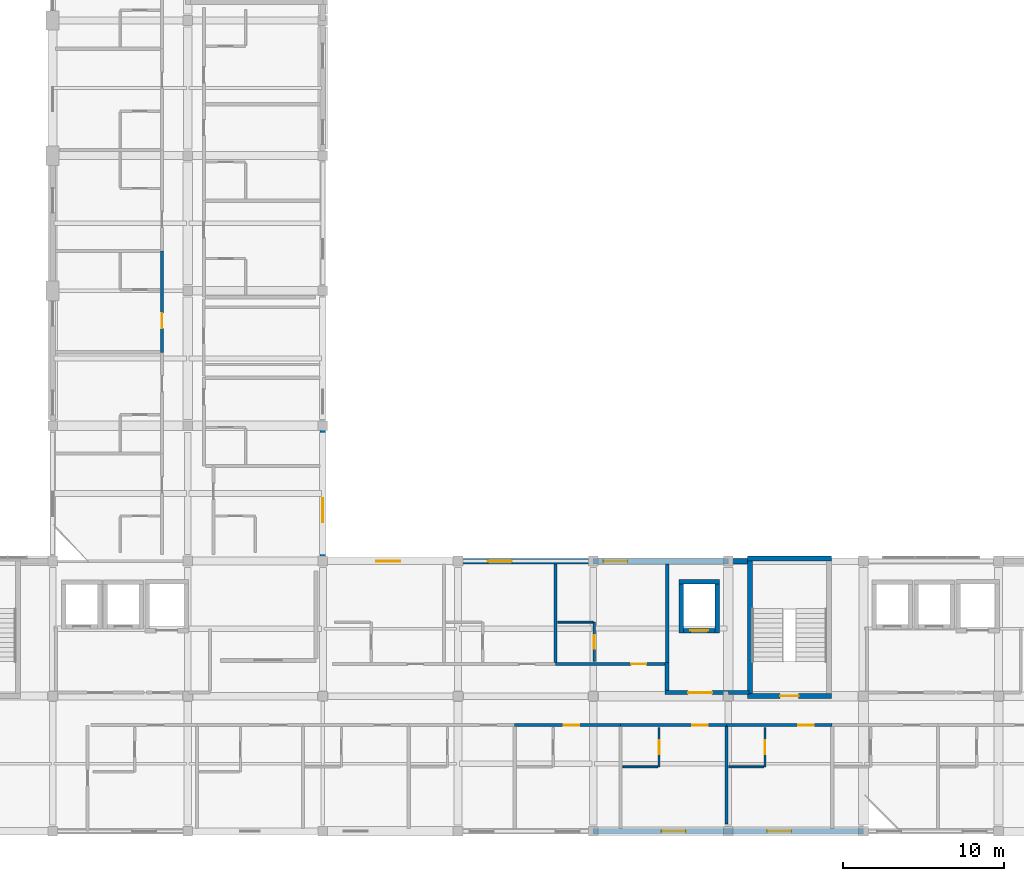
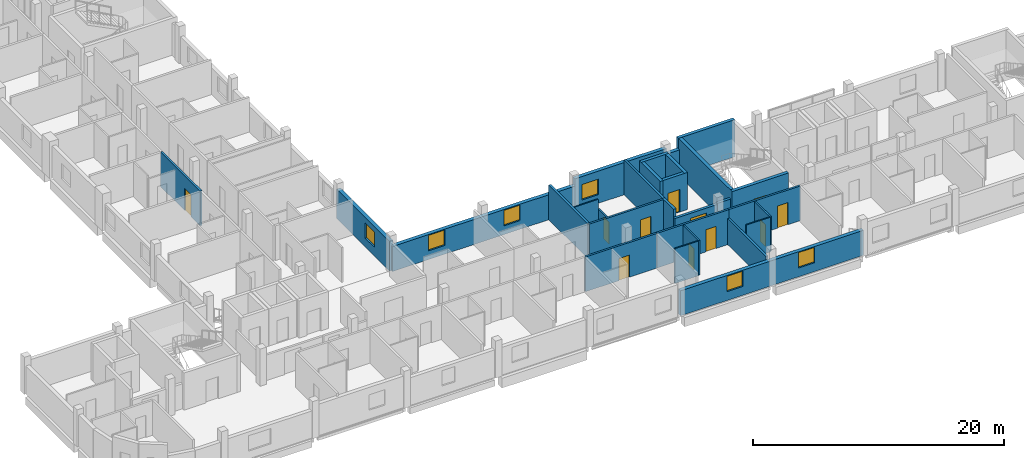
# One storey, part 14 of 25: 29 walls, 11 doors, 6 windows, 17 openings.
"""IFC4 building model written with IfcOpenShell, lengths in metres."""

from ifc_helpers import new_model, si_unit, derived_unit, direction, frame, frame_2d, origin, place, context, subcontext, project, spatial, rectangle, extrude, material, layer, layer_set, type_object, element, fill, save


model = new_model("IFC4")

# Units and contexts
model_context = context("Model", 3, precision=1e-05, world=origin(), true_north=direction((0.0, 1.0)))
body_context = subcontext(model_context, "Body", "Model", "MODEL_VIEW")
ifc_project = project(units=[si_unit("LENGTHUNIT", "METRE"), si_unit("AREAUNIT", "SQUARE_METRE"), si_unit("VOLUMEUNIT", "CUBIC_METRE"), si_unit("PLANEANGLEUNIT", "RADIAN"), si_unit("MASSUNIT", "GRAM", prefix="KILO"), derived_unit("THERMALTRANSMITTANCEUNIT", [(si_unit("POWERUNIT", "WATT"), 1), (si_unit("LENGTHUNIT", "METRE"), -2), (si_unit("THERMODYNAMICTEMPERATUREUNIT", "KELVIN"), -1)])], contexts=[model_context])

# Site, building, storey
site_placement = place(None, origin())
site = spatial("IfcSite", under=ifc_project, at=site_placement, CompositionType="ELEMENT")
building_placement = place(site_placement, origin())
building = spatial("IfcBuilding", under=site, at=building_placement, Name="Barrovel Congress Hotel", CompositionType="ELEMENT")
storey_placement = place(building_placement, frame((0.0, 0.0, 25.5)))
storey = spatial("IfcBuildingStorey", under=building, at=storey_placement, Name="L06", CompositionType="ELEMENT", Elevation=25.5)

# Wall, openings, windows
ifc_material_1 = material(Name="Fired Clay Brick Masonry", Category="masonry")
ifc_layer_1 = layer(ifc_material_1, 0.340087890625)
ifc_layer_set_1 = layer_set([ifc_layer_1], Name="Fired Clay Brick Masonry")
wall_type_1 = type_object("IfcWallType", Name="EW-BRK340", PredefinedType="STANDARD", material=ifc_layer_set_1)
wall_1_placement = place(storey_placement, frame((67.199951171875, 4.199951171875, 0.0), z_axis=(0.0, 0.0, 1.0), x_axis=(1.0, 0.0, 0.0)))
wall_1 = element("IfcWall", 1, at=wall_1_placement, inside=storey, type_object=wall_type_1, Name="EW:L06:HS-S", PredefinedType="STANDARD", context=body_context, shape_type="SweptSolid", body=[
    extrude(rectangle(XDim=16.800048828125, YDim=0.340087890625, at=frame_2d((8.39990234375, 0.0))), origin(), (0.0, 0.0, 1.0), 2.429931640625),
])
opening_1_placement = place(wall_1_placement, frame((4.239990234375, 0.0, 0.85009765625)))
opening_1 = element("IfcOpeningElement", 2, at=opening_1_placement, cuts=wall_1, Name="Opening WN-07", PredefinedType="OPENING", context=body_context, shape_type="SweptSolid", body=[
    extrude(rectangle(XDim=1.5, YDim=1.5, at=frame_2d((0.75, 0.75))), frame((0.0, 0.18017578125, 0.0), z_axis=(0.0, -1.0, 0.0), x_axis=(1.0, 0.0, 0.0)), (0.0, 0.0, 1.0), 0.360107421875),
])
opening_2_placement = place(wall_1_placement, frame((10.820068359375, 0.0, 0.85009765625)))
opening_2 = element("IfcOpeningElement", 3, at=opening_2_placement, cuts=wall_1, Name="Opening WN-07", PredefinedType="OPENING", context=body_context, shape_type="SweptSolid", body=[
    extrude(rectangle(XDim=1.5, YDim=1.5, at=frame_2d((0.75, 0.75))), frame((0.0, 0.18017578125, 0.0), z_axis=(0.0, -1.0, 0.0), x_axis=(1.0, 0.0, 0.0)), (0.0, 0.0, 1.0), 0.360107421875),
])
ifc_material_2 = material(Name="Double Low-E Insulated Glazing", Category="glass")
window_type = type_object("IfcWindowType", Name="WIN-WN-07", PartitioningType="SINGLE_PANEL", PredefinedType="WINDOW", material=ifc_material_2)
window_1_placement = place(opening_1_placement, origin())
window_1 = element("IfcWindow", 4, at=window_1_placement, inside=storey, type_object=window_type, Name="WIN:L06:U07", OverallHeight=1.5, OverallWidth=1.5, PartitioningType="SINGLE_PANEL", PredefinedType="WINDOW", context=body_context, shape_type="SweptSolid", body=[
    extrude(rectangle(XDim=1.5, YDim=1.5, at=frame_2d((0.75, 0.75))), frame((0.0, 0.030029296875, 0.0), z_axis=(0.0, -1.0, 0.0), x_axis=(1.0, 0.0, 0.0)), (0.0, 0.0, 1.0), 0.06005859375),
])
fill(opening_1, window_1)
window_2_placement = place(opening_2_placement, origin())
window_2 = element("IfcWindow", 5, at=window_2_placement, inside=storey, type_object=window_type, Name="WIN:L06:U08", OverallHeight=1.5, OverallWidth=1.5, PartitioningType="SINGLE_PANEL", PredefinedType="WINDOW", context=body_context, shape_type="SweptSolid", body=[
    extrude(rectangle(XDim=1.5, YDim=1.5, at=frame_2d((0.75, 0.75))), frame((0.0, 0.030029296875, 0.0), z_axis=(0.0, -1.0, 0.0), x_axis=(1.0, 0.0, 0.0)), (0.0, 0.0, 1.0), 0.06005859375),
])
fill(opening_2, window_2)

wall_2_placement = place(storey_placement, frame((67.199951171875, 21.0, 0.0), z_axis=(0.0, 0.0, 1.0), x_axis=(-1.0, 0.0, 0.0)))
wall_2 = element("IfcWall", 6, at=wall_2_placement, inside=storey, type_object=wall_type_1, Name="EW:L06:HS-NE-4", PredefinedType="STANDARD", context=body_context, shape_type="SweptSolid", body=[
    extrude(rectangle(XDim=16.800048828125, YDim=0.340087890625, at=frame_2d((8.39990234375, 0.0))), origin(), (0.0, 0.0, 1.0), 2.429931640625),
])
opening_3_placement = place(wall_2_placement, frame((11.9833984375, 0.0, 0.85009765625)))
opening_3 = element("IfcOpeningElement", 7, at=opening_3_placement, cuts=wall_2, Name="Opening WN-07", PredefinedType="OPENING", context=body_context, shape_type="SweptSolid", body=[
    extrude(rectangle(XDim=1.5, YDim=1.5, at=frame_2d((0.75, 0.75))), frame((0.0, 0.18017578125, 0.0), z_axis=(0.0, -1.0, 0.0), x_axis=(1.0, 0.0, 0.0)), (0.0, 0.0, 1.0), 0.360107421875),
])
opening_4_placement = place(wall_2_placement, frame((5.050048828125, 0.0, 0.85009765625)))
opening_4 = element("IfcOpeningElement", 8, at=opening_4_placement, cuts=wall_2, Name="Opening WN-07", PredefinedType="OPENING", context=body_context, shape_type="SweptSolid", body=[
    extrude(rectangle(XDim=1.5, YDim=1.5, at=frame_2d((0.75, 0.75))), frame((0.0, 0.18017578125, 0.0), z_axis=(0.0, -1.0, 0.0), x_axis=(1.0, 0.0, 0.0)), (0.0, 0.0, 1.0), 0.360107421875),
])
window_3_placement = place(opening_3_placement, origin())
window_3 = element("IfcWindow", 9, at=window_3_placement, inside=storey, type_object=window_type, Name="WIN:L06:U18", OverallHeight=1.5, OverallWidth=1.5, PartitioningType="SINGLE_PANEL", PredefinedType="WINDOW", context=body_context, shape_type="SweptSolid", body=[
    extrude(rectangle(XDim=1.5, YDim=1.5, at=frame_2d((0.75, 0.75))), frame((0.0, 0.030029296875, 0.0), z_axis=(0.0, -1.0, 0.0), x_axis=(1.0, 0.0, 0.0)), (0.0, 0.0, 1.0), 0.06005859375),
])
fill(opening_3, window_3)
window_4_placement = place(opening_4_placement, origin())
window_4 = element("IfcWindow", 10, at=window_4_placement, inside=storey, type_object=window_type, Name="WIN:L06:U19", OverallHeight=1.5, OverallWidth=1.5, PartitioningType="SINGLE_PANEL", PredefinedType="WINDOW", context=body_context, shape_type="SweptSolid", body=[
    extrude(rectangle(XDim=1.5, YDim=1.5, at=frame_2d((0.75, 0.75))), frame((0.0, 0.030029296875, 0.0), z_axis=(0.0, -1.0, 0.0), x_axis=(1.0, 0.0, 0.0)), (0.0, 0.0, 1.0), 0.06005859375),
])
fill(opening_4, window_4)

# Wall
wall_3_placement = place(storey_placement, frame((76.800048828125, 21.0, 0.0), z_axis=(0.0, 0.0, 1.0), x_axis=(-1.0, 0.0, 0.0)))
element("IfcWall", 11, at=wall_3_placement, inside=storey, type_object=wall_type_1, Name="EW:L06:HS-NE-4:P01", PredefinedType="STANDARD", context=body_context, shape_type="SweptSolid", body=[
    extrude(rectangle(XDim=1.199951171875, YDim=0.340087890625, at=frame_2d((0.60009765625, 0.0))), origin(), (0.0, 0.0, 1.0), 2.580078125),
])

# Wall, opening, window
wall_4_placement = place(storey_placement, frame((75.60009765625, 21.0, 0.0), z_axis=(0.0, 0.0, 1.0), x_axis=(-1.0, 0.0, 0.0)))
wall_4 = element("IfcWall", 12, at=wall_4_placement, inside=storey, type_object=wall_type_1, Name="EW:L06:HS-NE-4:P02", PredefinedType="STANDARD", context=body_context, shape_type="SweptSolid", body=[
    extrude(rectangle(XDim=8.400146484375, YDim=0.340087890625, at=frame_2d((4.2001953125, 0.0))), origin(), (0.0, 0.0, 1.0), 3.133056640625),
])
opening_5_placement = place(wall_4_placement, frame((6.2666015625, 0.0, 0.85009765625)))
opening_5 = element("IfcOpeningElement", 13, at=opening_5_placement, cuts=wall_4, Name="Opening WN-07", PredefinedType="OPENING", context=body_context, shape_type="SweptSolid", body=[
    extrude(rectangle(XDim=1.5, YDim=1.5, at=frame_2d((0.75, 0.75))), frame((0.0, 0.18017578125, 0.0), z_axis=(0.0, -1.0, 0.0), x_axis=(1.0, 0.0, 0.0)), (0.0, 0.0, 1.0), 0.360107421875),
])
window_5_placement = place(opening_5_placement, origin())
window_5 = element("IfcWindow", 14, at=window_5_placement, inside=storey, type_object=window_type, Name="WIN:L06:U20", OverallHeight=1.5, OverallWidth=1.5, PartitioningType="SINGLE_PANEL", PredefinedType="WINDOW", context=body_context, shape_type="SweptSolid", body=[
    extrude(rectangle(XDim=1.5, YDim=1.5, at=frame_2d((0.75, 0.75))), frame((0.0, 0.030029296875, 0.0), z_axis=(0.0, -1.0, 0.0), x_axis=(1.0, 0.0, 0.0)), (0.0, 0.0, 1.0), 0.06005859375),
])
fill(opening_5, window_5)

wall_5_placement = place(storey_placement, frame((50.39990234375, 21.0, 0.0), z_axis=(0.0, 0.0, 1.0), x_axis=(0.0, 1.0, 0.0)))
wall_5 = element("IfcWall", 15, at=wall_5_placement, inside=storey, type_object=wall_type_1, Name="EW:L06:HW-E-1:P01", PredefinedType="STANDARD", context=body_context, shape_type="SweptSolid", body=[
    extrude(rectangle(XDim=8.39990234375, YDim=0.340087890625, at=frame_2d((4.199951171875, 0.0))), origin(), (0.0, 0.0, 1.0), 2.8798828125),
])
opening_6_placement = place(wall_5_placement, frame((2.39990234375, 0.0, 0.85009765625)))
opening_6 = element("IfcOpeningElement", 16, at=opening_6_placement, cuts=wall_5, Name="Opening WN-07", PredefinedType="OPENING", context=body_context, shape_type="SweptSolid", body=[
    extrude(rectangle(XDim=1.5, YDim=1.5, at=frame_2d((0.75, 0.75))), frame((0.0, 0.18017578125, 0.0), z_axis=(0.0, -1.0, 0.0), x_axis=(1.0, 0.0, 0.0)), (0.0, 0.0, 1.0), 0.360107421875),
])
window_6_placement = place(opening_6_placement, origin())
window_6 = element("IfcWindow", 17, at=window_6_placement, inside=storey, type_object=window_type, Name="WIN:L06:U37", OverallHeight=1.5, OverallWidth=1.5, PartitioningType="SINGLE_PANEL", PredefinedType="WINDOW", context=body_context, shape_type="SweptSolid", body=[
    extrude(rectangle(XDim=1.5, YDim=1.5, at=frame_2d((0.75, 0.75))), frame((0.0, 0.030029296875, 0.0), z_axis=(0.0, -1.0, 0.0), x_axis=(1.0, 0.0, 0.0)), (0.0, 0.0, 1.0), 0.06005859375),
])
fill(opening_6, window_6)

# Wall, opening, door
ifc_material_3 = material(Name="Gypsum Acoustic Stud", Category="gypsum")
ifc_layer_2 = layer(ifc_material_3, 0.179931640625)
ifc_layer_set_2 = layer_set([ifc_layer_2], Name="Gypsum Acoustic Stud")
wall_type_2 = type_object("IfcWallType", Name="PW-ACU-180", PredefinedType="PARTITIONING", material=ifc_layer_set_2)
wall_6_placement = place(storey_placement, frame((62.320068359375, 10.800048828125, 0.0), z_axis=(0.0, 0.0, 1.0), x_axis=(1.0, 0.0, 0.0)))
wall_6 = element("IfcWall", 18, at=wall_6_placement, inside=storey, type_object=wall_type_2, Name="PW:L06:U06:COR", PredefinedType="PARTITIONING", context=body_context, shape_type="SweptSolid", body=[
    extrude(rectangle(XDim=6.579833984375, YDim=0.179931640625, at=frame_2d((3.2900390625, 0.0))), origin(), (0.0, 0.0, 1.0), 3.375),
])
opening_7_placement = place(wall_6_placement, frame((3.066650390625, 0.0, 0.0)))
opening_7 = element("IfcOpeningElement", 19, at=opening_7_placement, cuts=wall_6, Name="Opening ID-HTL", PredefinedType="OPENING", context=body_context, shape_type="SweptSolid", body=[
    extrude(rectangle(XDim=0.9599609375, YDim=2.14990234375, at=frame_2d((0.47998046875, 1.074951171875))), frame((0.0, 0.10009765625, 0.0), z_axis=(0.0, -1.0, 0.0), x_axis=(1.0, 0.0, 0.0)), (0.0, 0.0, 1.0), 0.199951171875),
])
ifc_material_4 = material(Name="Solid Oak Acoustic Timber Door", Category="wood")
door_type_1 = type_object("IfcDoorType", Name="IDR-ID-HTL", OperationType="NOTDEFINED", PredefinedType="DOOR", material=ifc_material_4)
door_1_placement = place(opening_7_placement, origin())
door_1 = element("IfcDoor", 20, at=door_1_placement, inside=storey, type_object=door_type_1, Name="DR:L06:U06:ENT", OperationType="SINGLE_SWING_RIGHT", OverallHeight=2.14990234375, OverallWidth=0.9599609375, PredefinedType="DOOR", context=body_context, shape_type="SweptSolid", body=[
    extrude(rectangle(XDim=0.9599609375, YDim=2.14990234375, at=frame_2d((0.47998046875, 1.074951171875))), frame((0.0, 0.02490234375, 0.0), z_axis=(0.0, -1.0, 0.0), x_axis=(1.0, 0.0, 0.0)), (0.0, 0.0, 1.0), 0.050048828125),
])
fill(opening_7, door_1)

wall_7_placement = place(storey_placement, frame((68.89990234375, 10.800048828125, 0.0), z_axis=(0.0, 0.0, 1.0), x_axis=(1.0, 0.0, 0.0)))
wall_7 = element("IfcWall", 21, at=wall_7_placement, inside=storey, type_object=wall_type_2, Name="PW:L06:U07:COR", PredefinedType="PARTITIONING", context=body_context, shape_type="SweptSolid", body=[
    extrude(rectangle(XDim=6.580078125, YDim=0.179931640625, at=frame_2d((3.2900390625, 0.0))), origin(), (0.0, 0.0, 1.0), 3.375),
])
opening_8_placement = place(wall_7_placement, frame((4.466552734375, 0.0, 0.0)))
opening_8 = element("IfcOpeningElement", 22, at=opening_8_placement, cuts=wall_7, Name="Opening ID-HTL", PredefinedType="OPENING", context=body_context, shape_type="SweptSolid", body=[
    extrude(rectangle(XDim=0.9599609375, YDim=2.14990234375, at=frame_2d((0.47998046875, 1.074951171875))), frame((0.0, 0.10009765625, 0.0), z_axis=(0.0, -1.0, 0.0), x_axis=(1.0, 0.0, 0.0)), (0.0, 0.0, 1.0), 0.199951171875),
])
door_2_placement = place(opening_8_placement, origin())
door_2 = element("IfcDoor", 23, at=door_2_placement, inside=storey, type_object=door_type_1, Name="DR:L06:U07:ENT", OperationType="SINGLE_SWING_RIGHT", OverallHeight=2.14990234375, OverallWidth=0.9599609375, PredefinedType="DOOR", context=body_context, shape_type="SweptSolid", body=[
    extrude(rectangle(XDim=0.9599609375, YDim=2.14990234375, at=frame_2d((0.47998046875, 1.074951171875))), frame((0.0, 0.02490234375, 0.0), z_axis=(0.0, -1.0, 0.0), x_axis=(1.0, 0.0, 0.0)), (0.0, 0.0, 1.0), 0.050048828125),
])
fill(opening_8, door_2)

wall_8_placement = place(storey_placement, frame((75.47998046875, 10.800048828125, 0.0), z_axis=(0.0, 0.0, 1.0), x_axis=(1.0, 0.0, 0.0)))
wall_8 = element("IfcWall", 24, at=wall_8_placement, inside=storey, type_object=wall_type_2, Name="PW:L06:U08:COR", PredefinedType="PARTITIONING", context=body_context, shape_type="SweptSolid", body=[
    extrude(rectangle(XDim=6.580078125, YDim=0.179931640625, at=frame_2d((3.2900390625, 0.0))), origin(), (0.0, 0.0, 1.0), 3.375),
])
opening_9_placement = place(wall_8_placement, frame((4.466552734375, 0.0, 0.0)))
opening_9 = element("IfcOpeningElement", 25, at=opening_9_placement, cuts=wall_8, Name="Opening ID-HTL", PredefinedType="OPENING", context=body_context, shape_type="SweptSolid", body=[
    extrude(rectangle(XDim=0.9599609375, YDim=2.14990234375, at=frame_2d((0.47998046875, 1.074951171875))), frame((0.0, 0.10009765625, 0.0), z_axis=(0.0, -1.0, 0.0), x_axis=(1.0, 0.0, 0.0)), (0.0, 0.0, 1.0), 0.199951171875),
])
door_3_placement = place(opening_9_placement, origin())
door_3 = element("IfcDoor", 26, at=door_3_placement, inside=storey, type_object=door_type_1, Name="DR:L06:U08:ENT", OperationType="SINGLE_SWING_RIGHT", OverallHeight=2.14990234375, OverallWidth=0.9599609375, PredefinedType="DOOR", context=body_context, shape_type="SweptSolid", body=[
    extrude(rectangle(XDim=0.9599609375, YDim=2.14990234375, at=frame_2d((0.47998046875, 1.074951171875))), frame((0.0, 0.02490234375, 0.0), z_axis=(0.0, -1.0, 0.0), x_axis=(1.0, 0.0, 0.0)), (0.0, 0.0, 1.0), 0.050048828125),
])
fill(opening_9, door_3)

wall_9_placement = place(storey_placement, frame((64.86669921875, 14.60009765625, 0.0), z_axis=(0.0, 0.0, 1.0), x_axis=(1.0, 0.0, 0.0)))
wall_9 = element("IfcWall", 27, at=wall_9_placement, inside=storey, type_object=wall_type_2, Name="PW:L06:U20:COR", PredefinedType="PARTITIONING", context=body_context, shape_type="SweptSolid", body=[
    extrude(rectangle(XDim=6.933349609375, YDim=0.179931640625, at=frame_2d((3.466796875, 0.0))), origin(), (0.0, 0.0, 1.0), 3.375),
])
opening_10_placement = place(wall_9_placement, frame((4.685546875, 0.0, 0.0)))
opening_10 = element("IfcOpeningElement", 28, at=opening_10_placement, cuts=wall_9, Name="Opening ID-HTL", PredefinedType="OPENING", context=body_context, shape_type="SweptSolid", body=[
    extrude(rectangle(XDim=0.9599609375, YDim=2.14990234375, at=frame_2d((0.47998046875, 1.074951171875))), frame((0.0, 0.10009765625, 0.0), z_axis=(0.0, -1.0, 0.0), x_axis=(1.0, 0.0, 0.0)), (0.0, 0.0, 1.0), 0.199951171875),
])
door_4_placement = place(opening_10_placement, origin())
door_4 = element("IfcDoor", 29, at=door_4_placement, inside=storey, type_object=door_type_1, Name="DR:L06:U20:ENT", OperationType="SINGLE_SWING_RIGHT", OverallHeight=2.14990234375, OverallWidth=0.9599609375, PredefinedType="DOOR", context=body_context, shape_type="SweptSolid", body=[
    extrude(rectangle(XDim=0.9599609375, YDim=2.14990234375, at=frame_2d((0.47998046875, 1.074951171875))), frame((0.0, 0.02490234375, 0.0), z_axis=(0.0, -1.0, 0.0), x_axis=(1.0, 0.0, 0.0)), (0.0, 0.0, 1.0), 0.050048828125),
])
fill(opening_10, door_4)

wall_10_placement = place(storey_placement, frame((40.39990234375, 33.977783203125, 0.0), z_axis=(0.0, 0.0, 1.0), x_axis=(0.0, 1.0, 0.0)))
wall_10 = element("IfcWall", 30, at=wall_10_placement, inside=storey, type_object=wall_type_2, Name="PW:L06:U30:COR", PredefinedType="PARTITIONING", context=body_context, shape_type="SweptSolid", body=[
    extrude(rectangle(XDim=6.288818359375, YDim=0.179931640625, at=frame_2d((3.14453125, 0.0))), origin(), (0.0, 0.0, 1.0), 3.375),
])
opening_11_placement = place(wall_10_placement, frame((1.4794921875, 0.0, 0.0)))
opening_11 = element("IfcOpeningElement", 31, at=opening_11_placement, cuts=wall_10, Name="Opening ID-HTL", PredefinedType="OPENING", context=body_context, shape_type="SweptSolid", body=[
    extrude(rectangle(XDim=0.9599609375, YDim=2.14990234375, at=frame_2d((0.47998046875, 1.074951171875))), frame((0.0, 0.10009765625, 0.0), z_axis=(0.0, -1.0, 0.0), x_axis=(1.0, 0.0, 0.0)), (0.0, 0.0, 1.0), 0.199951171875),
])
door_5_placement = place(opening_11_placement, origin())
door_5 = element("IfcDoor", 32, at=door_5_placement, inside=storey, type_object=door_type_1, Name="DR:L06:U30:ENT", OperationType="SINGLE_SWING_RIGHT", OverallHeight=2.14990234375, OverallWidth=0.9599609375, PredefinedType="DOOR", context=body_context, shape_type="SweptSolid", body=[
    extrude(rectangle(XDim=0.9599609375, YDim=2.14990234375, at=frame_2d((0.47998046875, 1.074951171875))), frame((0.0, 0.02490234375, 0.0), z_axis=(0.0, -1.0, 0.0), x_axis=(1.0, 0.0, 0.0)), (0.0, 0.0, 1.0), 0.050048828125),
])
fill(opening_11, door_5)

# Walls
ifc_layer_3 = layer(ifc_material_3, 0.1201171875)
ifc_layer_set_3 = layer_set([ifc_layer_3], Name="Gypsum Acoustic Stud")
wall_type_3 = type_object("IfcWallType", Name="PW-INT-120", PredefinedType="PARTITIONING", material=ifc_layer_set_3)
for number, where, z_axis, x_axis, name in (
    (33, (69.0400390625, 8.199951171875, 0.0), (0.0, 0.0, 1.0), (1.0, 0.0, 0.0), "PW:L06:U07:B2"),
    (34, (75.6201171875, 8.199951171875, 0.0), (0.0, 0.0, 1.0), (1.0, 0.0, 0.0), "PW:L06:U08:B2"),
):
    element("IfcWall", number, at=place(storey_placement, frame(where, z_axis=z_axis, x_axis=x_axis)), inside=storey, type_object=wall_type_3, Name=name, PredefinedType="PARTITIONING", context=body_context, shape_type="SweptSolid", body=[
        extrude(rectangle(XDim=2.18994140625, YDim=0.1201171875, at=frame_2d((1.094970703125, 0.0))), origin(), (0.0, 0.0, 1.0), 3.375),
    ])
wall_11_placement = place(storey_placement, frame((65.006591796875, 17.199951171875, 0.0), z_axis=(0.0, 0.0, 1.0), x_axis=(1.0, 0.0, 0.0)))
element("IfcWall", 35, at=wall_11_placement, inside=storey, type_object=wall_type_3, Name="PW:L06:U20:B2", PredefinedType="PARTITIONING", context=body_context, shape_type="SweptSolid", body=[
    extrude(rectangle(XDim=2.190185546875, YDim=0.1201171875, at=frame_2d((1.09521484375, 0.0))), origin(), (0.0, 0.0, 1.0), 3.375),
])
ifc_layer_4 = layer(ifc_material_1, 0.199951171875)
ifc_layer_set_4 = layer_set([ifc_layer_4], Name="Fired Clay Brick Masonry")
wall_type_4 = type_object("IfcWallType", Name="PW-MAS-200", PredefinedType="PARTITIONING", material=ifc_layer_set_4)
wall_12_placement = place(storey_placement, frame((75.47998046875, 4.64990234375, 0.0), z_axis=(0.0, 0.0, 1.0), x_axis=(0.0, 1.0, 0.0)))
element("IfcWall", 36, at=wall_12_placement, inside=storey, type_object=wall_type_4, Name="PW:L06:U07:DEM", PredefinedType="PARTITIONING", context=body_context, shape_type="SweptSolid", body=[
    extrude(rectangle(XDim=6.06005859375, YDim=0.199951171875, at=frame_2d((3.030029296875, 0.0))), origin(), (0.0, 0.0, 1.0), 2.530029296875),
])
for number, where, z_axis, x_axis, name in (
    (37, (64.86669921875, 14.68994140625, 0.0), (0.0, 0.0, 1.0), (0.0, 1.0, 0.0), "PW:L06:U19:DEM"),
    (38, (71.800048828125, 14.68994140625, 0.0), (0.0, 0.0, 1.0), (0.0, 1.0, 0.0), "PW:L06:U20:DEM"),
):
    element("IfcWall", number, at=place(storey_placement, frame(where, z_axis=z_axis, x_axis=x_axis)), inside=storey, type_object=wall_type_4, Name=name, PredefinedType="PARTITIONING", context=body_context, shape_type="SweptSolid", body=[
        extrude(rectangle(XDim=6.14013671875, YDim=0.199951171875, at=frame_2d((3.070068359375, 0.0))), origin(), (0.0, 0.0, 1.0), 3.375),
    ])

# Wall, opening, door
ifc_layer_5 = layer(ifc_material_1, 0.239990234375)
ifc_layer_set_5 = layer_set([ifc_layer_5], Name="Fired Clay Brick Masonry")
wall_type_5 = type_object("IfcWallType", Name="PW-MAS-240", PredefinedType="PARTITIONING", material=ifc_layer_set_5)
wall_13_placement = place(storey_placement, frame((71.679931640625, 12.820068359375, 0.0), z_axis=(0.0, 0.0, 1.0), x_axis=(1.0, 0.0, 0.0)))
wall_13 = element("IfcWall", 39, at=wall_13_placement, inside=storey, type_object=wall_type_5, Name="RW:SP:L06:FFL-2:S", PredefinedType="PARTITIONING", context=body_context, shape_type="SweptSolid", body=[
    extrude(rectangle(XDim=3.920166015625, YDim=0.239990234375, at=frame_2d((1.9599609375, 0.0))), origin(), (0.0, 0.0, 1.0), 2.6298828125),
])
opening_12_placement = place(wall_13_placement, frame((1.419921875, 0.0, 0.0)))
opening_12 = element("IfcOpeningElement", 40, at=opening_12_placement, cuts=wall_13, Name="Opening ID-FFL", PredefinedType="OPENING", context=body_context, shape_type="SweptSolid", body=[
    extrude(rectangle(XDim=1.5, YDim=2.14990234375, at=frame_2d((0.75, 1.074951171875))), frame((0.0, 0.1298828125, 0.0), z_axis=(0.0, -1.0, 0.0), x_axis=(1.0, 0.0, 0.0)), (0.0, 0.0, 1.0), 0.260009765625),
])
ifc_material_5 = material(Name="Painted Hollow-Metal Steel Door", Category="steel")
door_type_2 = type_object("IfcDoorType", Name="IDR-ID-FFL", OperationType="NOTDEFINED", PredefinedType="DOOR", material=ifc_material_5)
door_6_placement = place(opening_12_placement, origin())
door_6 = element("IfcDoor", 41, at=door_6_placement, inside=storey, type_object=door_type_2, Name="RD:SP:L06:FFL-2", OperationType="DOUBLE_DOOR_SINGLE_SWING", OverallHeight=2.14990234375, OverallWidth=1.5, PredefinedType="DOOR", context=body_context, shape_type="SweptSolid", body=[
    extrude(rectangle(XDim=1.5, YDim=2.14990234375, at=frame_2d((0.75, 1.074951171875))), frame((0.0, 0.02490234375, 0.0), z_axis=(0.0, -1.0, 0.0), x_axis=(1.0, 0.0, 0.0)), (0.0, 0.0, 1.0), 0.050048828125),
])
fill(opening_12, door_6)

# Walls
wall_14_placement = place(storey_placement, frame((71.800048828125, 12.93994140625, 0.0), z_axis=(0.0, 0.0, 1.0), x_axis=(0.0, 1.0, 0.0)))
element("IfcWall", 42, at=wall_14_placement, inside=storey, type_object=wall_type_5, Name="RW:SP:L06:FFL-2:W", PredefinedType="PARTITIONING", context=body_context, shape_type="SweptSolid", body=[
    extrude(rectangle(XDim=1.75, YDim=0.239990234375, at=frame_2d((0.875, 0.0))), origin(), (0.0, 0.0, 1.0), 3.375),
])
wall_15_placement = place(storey_placement, frame((75.60009765625, 12.820068359375, 0.0), z_axis=(0.0, 0.0, 1.0), x_axis=(1.0, 0.0, 0.0)))
element("IfcWall", 43, at=wall_15_placement, inside=storey, type_object=wall_type_5, Name="RW:SP:L06:FFL-2:S:P02", PredefinedType="PARTITIONING", context=body_context, shape_type="SweptSolid", body=[
    extrude(rectangle(XDim=1.27978515625, YDim=0.239990234375, at=frame_2d((0.639892578125, 0.0))), origin(), (0.0, 0.0, 1.0), 2.72998046875),
])

# Wall, opening, door
ifc_material_6 = material(Name="Gypsum Moisture Board", Category="gypsum")
ifc_layer_6 = layer(ifc_material_6, 0.139892578125)
ifc_layer_set_6 = layer_set([ifc_layer_6], Name="Gypsum Moisture Board")
wall_type_6 = type_object("IfcWallType", Name="PW-WET-140", PredefinedType="PARTITIONING", material=ifc_layer_set_6)
wall_16_placement = place(storey_placement, frame((71.300048828125, 8.199951171875, 0.0), z_axis=(0.0, 0.0, 1.0), x_axis=(0.0, 1.0, 0.0)))
wall_16 = element("IfcWall", 44, at=wall_16_placement, inside=storey, type_object=wall_type_6, Name="PW:L06:U07:B1", PredefinedType="PARTITIONING", context=body_context, shape_type="SweptSolid", body=[
    extrude(rectangle(XDim=2.4599609375, YDim=0.139892578125, at=frame_2d((1.22998046875, 0.0))), origin(), (0.0, 0.0, 1.0), 3.375),
])
opening_13_placement = place(wall_16_placement, frame((0.800048828125, 0.0, 0.0)))
opening_13 = element("IfcOpeningElement", 45, at=opening_13_placement, cuts=wall_16, Name="Opening ID-ENS", PredefinedType="OPENING", context=body_context, shape_type="SweptSolid", body=[
    extrude(rectangle(XDim=0.860107421875, YDim=2.10009765625, at=frame_2d((0.43017578125, 1.050048828125))), frame((0.0, 0.080078125, 0.0), z_axis=(0.0, -1.0, 0.0), x_axis=(1.0, 0.0, 0.0)), (0.0, 0.0, 1.0), 0.159912109375),
])
ifc_material_7 = material(Name="Lacquered Timber Moisture Door", Category="wood")
door_type_3 = type_object("IfcDoorType", Name="IDR-ID-ENS", OperationType="NOTDEFINED", PredefinedType="DOOR", material=ifc_material_7)
door_7_placement = place(opening_13_placement, origin())
door_7 = element("IfcDoor", 46, at=door_7_placement, inside=storey, type_object=door_type_3, Name="DR:L06:U07:ENS", OperationType="SINGLE_SWING_LEFT", OverallHeight=2.10009765625, OverallWidth=0.860107421875, PredefinedType="DOOR", context=body_context, shape_type="SweptSolid", body=[
    extrude(rectangle(XDim=0.860107421875, YDim=2.10009765625, at=frame_2d((0.43017578125, 1.050048828125))), frame((0.0, 0.02490234375, 0.0), z_axis=(0.0, -1.0, 0.0), x_axis=(1.0, 0.0, 0.0)), (0.0, 0.0, 1.0), 0.050048828125),
])
fill(opening_13, door_7)

wall_17_placement = place(storey_placement, frame((77.8798828125, 8.199951171875, 0.0), z_axis=(0.0, 0.0, 1.0), x_axis=(0.0, 1.0, 0.0)))
wall_17 = element("IfcWall", 47, at=wall_17_placement, inside=storey, type_object=wall_type_6, Name="PW:L06:U08:B1", PredefinedType="PARTITIONING", context=body_context, shape_type="SweptSolid", body=[
    extrude(rectangle(XDim=2.4599609375, YDim=0.139892578125, at=frame_2d((1.22998046875, 0.0))), origin(), (0.0, 0.0, 1.0), 3.375),
])
opening_14_placement = place(wall_17_placement, frame((0.800048828125, 0.0, 0.0)))
opening_14 = element("IfcOpeningElement", 48, at=opening_14_placement, cuts=wall_17, Name="Opening ID-ENS", PredefinedType="OPENING", context=body_context, shape_type="SweptSolid", body=[
    extrude(rectangle(XDim=0.860107421875, YDim=2.10009765625, at=frame_2d((0.43017578125, 1.050048828125))), frame((0.0, 0.080078125, 0.0), z_axis=(0.0, -1.0, 0.0), x_axis=(1.0, 0.0, 0.0)), (0.0, 0.0, 1.0), 0.159912109375),
])
door_8_placement = place(opening_14_placement, origin())
door_8 = element("IfcDoor", 49, at=door_8_placement, inside=storey, type_object=door_type_3, Name="DR:L06:U08:ENS", OperationType="SINGLE_SWING_LEFT", OverallHeight=2.10009765625, OverallWidth=0.860107421875, PredefinedType="DOOR", context=body_context, shape_type="SweptSolid", body=[
    extrude(rectangle(XDim=0.860107421875, YDim=2.10009765625, at=frame_2d((0.43017578125, 1.050048828125))), frame((0.0, 0.02490234375, 0.0), z_axis=(0.0, -1.0, 0.0), x_axis=(1.0, 0.0, 0.0)), (0.0, 0.0, 1.0), 0.050048828125),
])
fill(opening_14, door_8)

wall_18_placement = place(storey_placement, frame((67.2666015625, 14.739990234375, 0.0), z_axis=(0.0, 0.0, 1.0), x_axis=(0.0, 1.0, 0.0)))
wall_18 = element("IfcWall", 50, at=wall_18_placement, inside=storey, type_object=wall_type_6, Name="PW:L06:U20:B1", PredefinedType="PARTITIONING", context=body_context, shape_type="SweptSolid", body=[
    extrude(rectangle(XDim=2.4599609375, YDim=0.139892578125, at=frame_2d((1.22998046875, 0.0))), origin(), (0.0, 0.0, 1.0), 2.429931640625),
])
opening_15_placement = place(wall_18_placement, frame((0.800048828125, 0.0, 0.0)))
opening_15 = element("IfcOpeningElement", 51, at=opening_15_placement, cuts=wall_18, Name="Opening ID-ENS", PredefinedType="OPENING", context=body_context, shape_type="SweptSolid", body=[
    extrude(rectangle(XDim=0.860107421875, YDim=2.10009765625, at=frame_2d((0.43017578125, 1.050048828125))), frame((0.0, 0.080078125, 0.0), z_axis=(0.0, -1.0, 0.0), x_axis=(1.0, 0.0, 0.0)), (0.0, 0.0, 1.0), 0.159912109375),
])
door_9_placement = place(opening_15_placement, origin())
door_9 = element("IfcDoor", 52, at=door_9_placement, inside=storey, type_object=door_type_3, Name="DR:L06:U20:ENS", OperationType="SINGLE_SWING_LEFT", OverallHeight=2.10009765625, OverallWidth=0.860107421875, PredefinedType="DOOR", context=body_context, shape_type="SweptSolid", body=[
    extrude(rectangle(XDim=0.860107421875, YDim=2.10009765625, at=frame_2d((0.43017578125, 1.050048828125))), frame((0.0, 0.02490234375, 0.0), z_axis=(0.0, -1.0, 0.0), x_axis=(1.0, 0.0, 0.0)), (0.0, 0.0, 1.0), 0.050048828125),
])
fill(opening_15, door_9)

ifc_material_8 = material(Name="Concrete C40", Category="concrete")
ifc_layer_7 = layer(ifc_material_8, 0.280029296875)
ifc_layer_set_7 = layer_set([ifc_layer_7], Name="Concrete C40")
wall_type_7 = type_object("IfcWallType", Name="SW-C40-280", PredefinedType="SHEAR", material=ifc_layer_set_7)
wall_19_placement = place(storey_placement, frame((72.5400390625, 16.679931640625, 0.0), z_axis=(0.0, 0.0, 1.0), x_axis=(1.0, 0.0, 0.0)))
wall_19 = element("IfcWall", 53, at=wall_19_placement, inside=storey, type_object=wall_type_7, Name="LSH:FL-2:L06:S", PredefinedType="SHEAR", context=body_context, shape_type="SweptSolid", body=[
    extrude(rectangle(XDim=2.52001953125, YDim=0.280029296875, at=frame_2d((1.260009765625, 0.0))), origin(), (0.0, 0.0, 1.0), 3.60009765625),
])
opening_16_placement = place(wall_19_placement, frame((0.7099609375, 0.0, 0.0)))
opening_16 = element("IfcOpeningElement", 54, at=opening_16_placement, cuts=wall_19, Name="Opening LD-FF", PredefinedType="OPENING", context=body_context, shape_type="SweptSolid", body=[
    extrude(rectangle(XDim=1.10009765625, YDim=2.199951171875, at=frame_2d((0.550048828125, 1.10009765625))), frame((0.0, 0.14990234375, 0.0), z_axis=(0.0, -1.0, 0.0), x_axis=(1.0, 0.0, 0.0)), (0.0, 0.0, 1.0), 0.300048828125),
])
ifc_material_9 = material(Name="Brushed Stainless Steel", Category="steel")
door_type_4 = type_object("IfcDoorType", Name="IDR-LD-FF", OperationType="NOTDEFINED", PredefinedType="DOOR", material=ifc_material_9)
door_10_placement = place(opening_16_placement, origin())
door_10 = element("IfcDoor", 55, at=door_10_placement, inside=storey, type_object=door_type_4, Name="Lift Landing Door LD-FL-2-L06", OperationType="SLIDING_TO_LEFT", OverallHeight=2.199951171875, OverallWidth=1.10009765625, PredefinedType="DOOR", context=body_context, shape_type="SweptSolid", body=[
    extrude(rectangle(XDim=1.10009765625, YDim=2.199951171875, at=frame_2d((0.550048828125, 1.10009765625))), frame((0.0, 0.02490234375, 0.0), z_axis=(0.0, -1.0, 0.0), x_axis=(1.0, 0.0, 0.0)), (0.0, 0.0, 1.0), 0.050048828125),
])
fill(opening_16, door_10)

# Walls
wall_20_placement = place(storey_placement, frame((74.919921875, 16.5400390625, 0.0), z_axis=(0.0, 0.0, 1.0), x_axis=(0.0, 1.0, 0.0)))
element("IfcWall", 56, at=wall_20_placement, inside=storey, type_object=wall_type_7, Name="LSH:FL-2:L06:E", PredefinedType="SHEAR", context=body_context, shape_type="SweptSolid", body=[
    extrude(rectangle(XDim=3.320068359375, YDim=0.280029296875, at=frame_2d((1.66015625, 0.0))), origin(), (0.0, 0.0, 1.0), 3.60009765625),
])
wall_21_placement = place(storey_placement, frame((75.06005859375, 19.719970703125, 0.0), z_axis=(0.0, 0.0, 1.0), x_axis=(-1.0, 0.0, 0.0)))
element("IfcWall", 57, at=wall_21_placement, inside=storey, type_object=wall_type_7, Name="LSH:FL-2:L06:N", PredefinedType="SHEAR", context=body_context, shape_type="SweptSolid", body=[
    extrude(rectangle(XDim=2.52001953125, YDim=0.280029296875, at=frame_2d((1.260009765625, 0.0))), origin(), (0.0, 0.0, 1.0), 3.60009765625),
])
wall_22_placement = place(storey_placement, frame((72.679931640625, 19.860107421875, 0.0), z_axis=(0.0, 0.0, 1.0), x_axis=(0.0, -1.0, 0.0)))
element("IfcWall", 58, at=wall_22_placement, inside=storey, type_object=wall_type_7, Name="LSH:FL-2:L06:W", PredefinedType="SHEAR", context=body_context, shape_type="SweptSolid", body=[
    extrude(rectangle(XDim=3.320068359375, YDim=0.280029296875, at=frame_2d((1.66015625, 0.0))), origin(), (0.0, 0.0, 1.0), 3.60009765625),
])

# Wall, opening, door
ifc_layer_8 = layer(ifc_material_8, 0.300048828125)
ifc_layer_set_8 = layer_set([ifc_layer_8], Name="Concrete C40")
wall_type_8 = type_object("IfcWallType", Name="SW-C40-300", PredefinedType="SHEAR", material=ifc_layer_set_8)
wall_23_placement = place(storey_placement, frame((76.800048828125, 12.610107421875, 0.0), z_axis=(0.0, 0.0, 1.0), x_axis=(1.0, 0.0, 0.0)))
wall_23 = element("IfcWall", 59, at=wall_23_placement, inside=storey, type_object=wall_type_8, Name="SHW:XS-02:L06:S", PredefinedType="SHEAR", context=body_context, shape_type="SweptSolid", body=[
    extrude(rectangle(XDim=5.199951171875, YDim=0.300048828125, at=frame_2d((2.60009765625, 0.0))), origin(), (0.0, 0.0, 1.0), 3.60009765625),
])
opening_17_placement = place(wall_23_placement, frame((2.02490234375, 0.0, 0.0)))
opening_17 = element("IfcOpeningElement", 60, at=opening_17_placement, cuts=wall_23, Name="Opening ID-ST1", PredefinedType="OPENING", context=body_context, shape_type="SweptSolid", body=[
    extrude(rectangle(XDim=1.14990234375, YDim=2.14990234375, at=frame_2d((0.574951171875, 1.074951171875))), frame((0.0, 0.16015625, 0.0), z_axis=(0.0, -1.0, 0.0), x_axis=(1.0, 0.0, 0.0)), (0.0, 0.0, 1.0), 0.320068359375),
])
door_type_5 = type_object("IfcDoorType", Name="IDR-ID-ST1", OperationType="NOTDEFINED", PredefinedType="DOOR", material=ifc_material_5)
door_11_placement = place(opening_17_placement, origin())
door_11 = element("IfcDoor", 61, at=door_11_placement, inside=storey, type_object=door_type_5, Name="Stair Core Fire Door XS-02-L06", OperationType="SINGLE_SWING_LEFT", OverallHeight=2.14990234375, OverallWidth=1.14990234375, PredefinedType="DOOR", context=body_context, shape_type="SweptSolid", body=[
    extrude(rectangle(XDim=1.14990234375, YDim=2.14990234375, at=frame_2d((0.574951171875, 1.074951171875))), frame((0.0, 0.02490234375, 0.0), z_axis=(0.0, -1.0, 0.0), x_axis=(1.0, 0.0, 0.0)), (0.0, 0.0, 1.0), 0.050048828125),
])
fill(opening_17, door_11)

# Walls
wall_24_placement = place(storey_placement, frame((82.0, 21.14990234375, 0.0), z_axis=(0.0, 0.0, 1.0), x_axis=(-1.0, 0.0, 0.0)))
element("IfcWall", 62, at=wall_24_placement, inside=storey, type_object=wall_type_8, Name="SHW:XS-02:L06:N", PredefinedType="SHEAR", context=body_context, shape_type="SweptSolid", body=[
    extrude(rectangle(XDim=5.199951171875, YDim=0.300048828125, at=frame_2d((2.60009765625, 0.0))), origin(), (0.0, 0.0, 1.0), 3.60009765625),
])
wall_25_placement = place(storey_placement, frame((76.949951171875, 21.300048828125, 0.0), z_axis=(0.0, 0.0, 1.0), x_axis=(0.0, -1.0, 0.0)))
element("IfcWall", 63, at=wall_25_placement, inside=storey, type_object=wall_type_8, Name="SHW:XS-02:L06:W", PredefinedType="SHEAR", context=body_context, shape_type="SweptSolid", body=[
    extrude(rectangle(XDim=8.840087890625, YDim=0.300048828125, at=frame_2d((4.419921875, 0.0))), origin(), (0.0, 0.0, 1.0), 3.60009765625),
])

save(model, "model.ifc")
